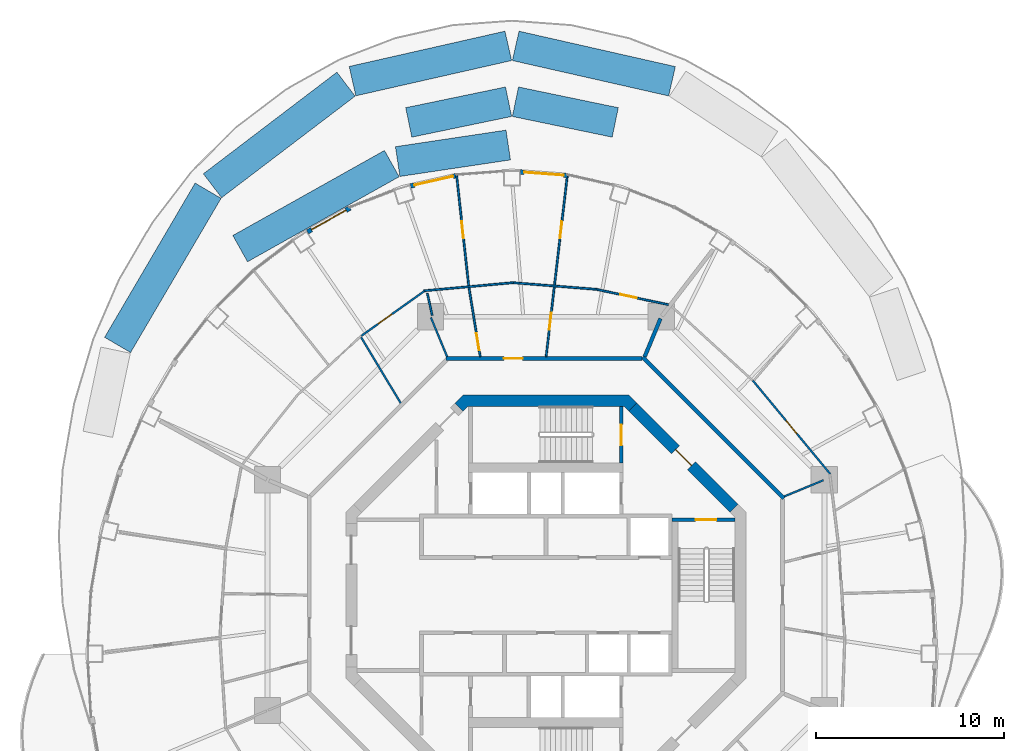
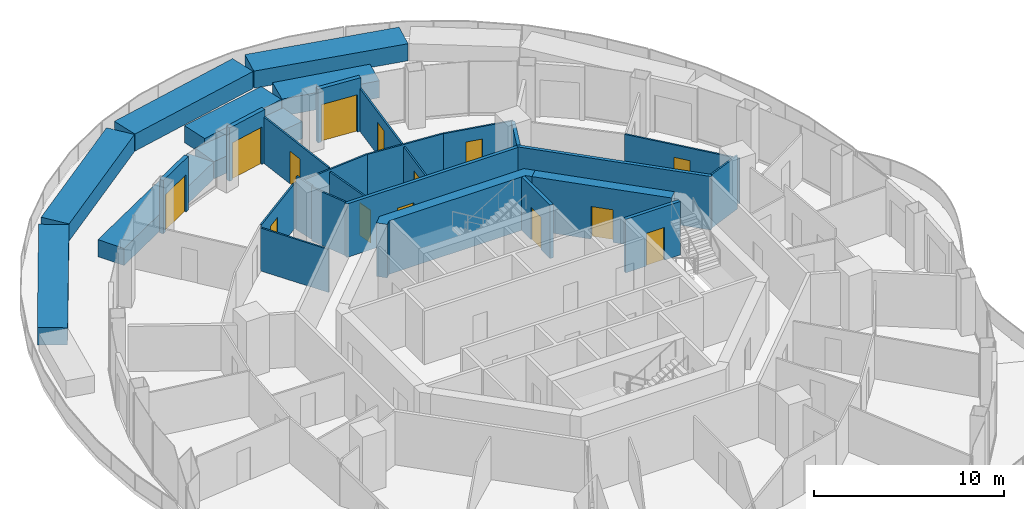
# One storey, part 13 of 17: 30 walls, 14 doors, 14 openings.
"""IFC4 building model written with IfcOpenShell, lengths in metres."""

from ifc_helpers import new_model, si_unit, direction, frame, frame_2d, origin, place, context, subcontext, project, spatial, polyline, rectangle, outline, extrude, material, layer, layer_set, type_object, element, fill, save


model = new_model("IFC4")

# Units and contexts
model_context = context("Model", 3, precision=1e-05, world=origin(), true_north=direction((0.0, 1.0)))
body_context = subcontext(model_context, "Body", "Model", "MODEL_VIEW")
ifc_project = project(units=[si_unit("LENGTHUNIT", "METRE"), si_unit("AREAUNIT", "SQUARE_METRE"), si_unit("VOLUMEUNIT", "CUBIC_METRE"), si_unit("PLANEANGLEUNIT", "RADIAN"), si_unit("MASSUNIT", "GRAM", prefix="KILO")], contexts=[model_context])

# Site, building, storey
site_placement = place(None, origin())
site = spatial("IfcSite", under=ifc_project, at=site_placement, CompositionType="ELEMENT")
building_placement = place(site_placement, origin())
building = spatial("IfcBuilding", under=site, at=building_placement, Name="Nagisa Residences", CompositionType="ELEMENT")
storey_placement = place(building_placement, frame((0.0, 0.0, 258.5)))
storey = spatial("IfcBuildingStorey", under=building, at=storey_placement, Name="L65", CompositionType="ELEMENT", Elevation=258.5)

# Walls
ifc_material_1 = material(Name="Gypsum board on steel studs", Category="steel")
ifc_layer_1 = layer(ifc_material_1, 0.199951171875)
ifc_layer_set_1 = layer_set([ifc_layer_1], Name="Apartment compartment wall EI60 200")
wall_type_1 = type_object("IfcWallType", Name="Apartment compartment wall EI60 200", PredefinedType="PARTITIONING", material=ifc_layer_set_1)
wall_1_placement = place(storey_placement, frame((5.24267578125, 12.6572265625, 0.0), z_axis=(0.0, 0.0, 1.0), x_axis=(0.382691608661, 0.923876145736, 0.0)))
element("IfcWall", 1, at=wall_1_placement, inside=storey, type_object=wall_type_1, Name="wall:L65:u00", PredefinedType="PARTITIONING", context=body_context, shape_type="SweptSolid", body=[
    extrude(rectangle(XDim=2.19970703125, YDim=0.199951171875, at=frame_2d((1.099853515625, 0.0))), origin(), (0.0, 0.0, 1.0), 3.43994140625),
])
ifc_material_2 = material(Name="Gypsum board on steel studs", Category="steel")
ifc_layer_2 = layer(ifc_material_2, 0.199951171875)
ifc_layer_set_2 = layer_set([ifc_layer_2], Name="Apartment entry wall EI60 200")
wall_type_2 = type_object("IfcWallType", Name="Apartment entry wall EI60 200", PredefinedType="PARTITIONING", material=ifc_layer_set_2)
wall_2_placement = place(storey_placement, frame((12.635498046875, 5.1337890625, 0.0), z_axis=(0.0, 0.0, 1.0), x_axis=(-0.707106781187, 0.707106781187, 0.0)))
element("IfcWall", 2, at=wall_2_placement, inside=storey, type_object=wall_type_2, Name="wall:L65:u09", PredefinedType="PARTITIONING", context=body_context, shape_type="SweptSolid", body=[
    extrude(rectangle(XDim=10.609130859375, YDim=0.199951171875, at=frame_2d((5.3046875, 0.0))), origin(), (0.0, 0.0, 1.0), 3.43994140625),
])

# Wall, opening, door
wall_3_placement = place(storey_placement, frame((5.1044921875, 12.564697265625, 0.0), z_axis=(0.0, 0.0, 1.0), x_axis=(-1.0, 0.0, 0.0)))
wall_3 = element("IfcWall", 3, at=wall_3_placement, inside=storey, type_object=wall_type_2, Name="wall:L65:u10", PredefinedType="PARTITIONING", context=body_context, shape_type="SweptSolid", body=[
    extrude(rectangle(XDim=10.408935546875, YDim=0.199951171875, at=frame_2d((5.20458984375, 0.0))), origin(), (0.0, 0.0, 1.0), 3.43994140625),
])
opening_1_placement = place(wall_3_placement, frame((6.33935546875, 0.0, 0.0)))
opening_1 = element("IfcOpeningElement", 4, at=opening_1_placement, cuts=wall_3, Name="Opening L65-U09", PredefinedType="OPENING", context=body_context, shape_type="SweptSolid", body=[
    extrude(rectangle(XDim=1.0, YDim=2.10009765625, at=frame_2d((0.5, 1.050048828125))), frame((0.0, 0.10986328125, 0.0), z_axis=(0.0, -1.0, 0.0), x_axis=(1.0, 0.0, 0.0)), (0.0, 0.0, 1.0), 0.219970703125),
])
ifc_material_3 = material(Name="Timber fire door set", Category="wood")
door_type_1 = type_object("IfcDoorType", Name="Apartment entry door FD30S 1000x2100", OperationType="NOTDEFINED", PredefinedType="DOOR", material=ifc_material_3)
door_1_placement = place(opening_1_placement, frame((1.0, 0.0, 0.0), x_axis=(-1.0, 0.0, 0.0)))
door_1 = element("IfcDoor", 5, at=door_1_placement, inside=storey, type_object=door_type_1, Name="Entry door, Apartment 65B", OperationType="SINGLE_SWING_RIGHT", OverallHeight=2.10009765625, OverallWidth=1.0, PredefinedType="DOOR", context=body_context, shape_type="SweptSolid", body=[
    extrude(rectangle(XDim=1.0, YDim=2.10009765625, at=frame_2d((0.5, 1.050048828125))), frame((0.0, 0.02490234375, 0.0), z_axis=(0.0, -1.0, 0.0), x_axis=(1.0, 0.0, 0.0)), (0.0, 0.0, 1.0), 0.050048828125),
])
fill(opening_1, door_1)

# Wall
ifc_material_4 = material(Name="Gypsum board on steel studs", Category="steel")
ifc_layer_3 = layer(ifc_material_4, 0.10009765625)
ifc_layer_set_3 = layer_set([ifc_layer_3], Name="Apartment partition 100")
wall_type_3 = type_object("IfcWallType", Name="Apartment partition 100", PredefinedType="PARTITIONING", material=ifc_layer_set_3)
wall_4_placement = place(storey_placement, frame((12.6572265625, 5.24267578125, 0.0), z_axis=(0.0, 0.0, 1.0), x_axis=(0.923864733477, 0.382719158442, 0.0)))
element("IfcWall", 6, at=wall_4_placement, inside=storey, type_object=wall_type_3, Name="wall:L65:u23", PredefinedType="PARTITIONING", context=body_context, shape_type="SweptSolid", body=[
    extrude(rectangle(XDim=2.25, YDim=0.10009765625, at=frame_2d((1.125, 0.0))), origin(), (0.0, 0.0, 1.0), 3.43994140625),
])

# Wall, opening, door
wall_5_placement = place(storey_placement, frame((15.09814453125, 6.427490234375, 0.0), z_axis=(0.0, 0.0, 1.0), x_axis=(-0.637936555536, 0.770088924158, 0.0)))
wall_5 = element("IfcWall", 7, at=wall_5_placement, inside=storey, type_object=wall_type_3, Name="wall:L65:u24", PredefinedType="PARTITIONING", context=body_context, shape_type="SweptSolid", body=[
    extrude(rectangle(XDim=6.46044921875, YDim=0.10009765625, at=frame_2d((3.230224609375, 0.0))), origin(), (0.0, 0.0, 1.0), 2.905029296875),
])
opening_2_placement = place(wall_5_placement, frame((2.7802734375, 0.0, 0.0)))
opening_2 = element("IfcOpeningElement", 8, at=opening_2_placement, cuts=wall_5, Name="Opening L65-U08", PredefinedType="OPENING", context=body_context, shape_type="SweptSolid", body=[
    extrude(rectangle(XDim=0.89990234375, YDim=2.10009765625, at=frame_2d((0.449951171875, 1.050048828125))), frame((0.0, 0.06005859375, 0.0), z_axis=(0.0, -1.0, 0.0), x_axis=(1.0, 0.0, 0.0)), (0.0, 0.0, 1.0), 0.1201171875),
])
ifc_material_5 = material(Name="Timber door set", Category="wood")
door_type_2 = type_object("IfcDoorType", Name="Apartment door 900x2100", OperationType="NOTDEFINED", PredefinedType="DOOR", material=ifc_material_5)
door_2_placement = place(opening_2_placement, origin())
door_2 = element("IfcDoor", 9, at=door_2_placement, inside=storey, type_object=door_type_2, Name="Door to store, Apartment 65A", OperationType="SINGLE_SWING_RIGHT", OverallHeight=2.10009765625, OverallWidth=0.89990234375, PredefinedType="DOOR", context=body_context, shape_type="SweptSolid", body=[
    extrude(rectangle(XDim=0.89990234375, YDim=2.10009765625, at=frame_2d((0.449951171875, 1.050048828125))), frame((0.0, 0.02490234375, 0.0), z_axis=(0.0, -1.0, 0.0), x_axis=(1.0, 0.0, 0.0)), (0.0, 0.0, 1.0), 0.050048828125),
])
fill(opening_2, door_2)

wall_6_placement = place(storey_placement, frame((6.50048828125, 15.41943359375, 0.0), z_axis=(0.0, 0.0, 1.0), x_axis=(-0.978053492557, 0.208353943321, 0.0)))
wall_6 = element("IfcWall", 10, at=wall_6_placement, inside=storey, type_object=wall_type_3, Name="wall:L65:u27", PredefinedType="PARTITIONING", context=body_context, shape_type="SweptSolid", body=[
    extrude(rectangle(XDim=3.873779296875, YDim=0.10009765625, at=frame_2d((1.93701171875, 0.0))), origin(), (0.0, 0.0, 1.0), 2.905029296875),
])
opening_3_placement = place(wall_6_placement, frame((1.71435546875, 0.0, 0.0)))
opening_3 = element("IfcOpeningElement", 11, at=opening_3_placement, cuts=wall_6, Name="Opening L65-U12", PredefinedType="OPENING", context=body_context, shape_type="SweptSolid", body=[
    extrude(rectangle(XDim=0.89990234375, YDim=2.10009765625, at=frame_2d((0.449951171875, 1.050048828125))), frame((0.0, 0.06005859375, 0.0), z_axis=(0.0, -1.0, 0.0), x_axis=(1.0, 0.0, 0.0)), (0.0, 0.0, 1.0), 0.1201171875),
])
door_3_placement = place(opening_3_placement, frame((0.89990234375, 0.0, 0.0), x_axis=(-1.0, 0.0, 0.0)))
door_3 = element("IfcDoor", 12, at=door_3_placement, inside=storey, type_object=door_type_2, Name="Door to kitchen, Apartment 65B", OperationType="SINGLE_SWING_LEFT", OverallHeight=2.10009765625, OverallWidth=0.89990234375, PredefinedType="DOOR", context=body_context, shape_type="SweptSolid", body=[
    extrude(rectangle(XDim=0.89990234375, YDim=2.10009765625, at=frame_2d((0.449951171875, 1.050048828125))), frame((0.0, 0.02490234375, 0.0), z_axis=(0.0, -1.0, 0.0), x_axis=(1.0, 0.0, 0.0)), (0.0, 0.0, 1.0), 0.050048828125),
])
fill(opening_3, door_3)

# Wall
wall_7_placement = place(storey_placement, frame((2.712646484375, 16.23291015625, 0.0), z_axis=(0.0, 0.0, 1.0), x_axis=(-0.996870142942, 0.079056423588, 0.0)))
element("IfcWall", 13, at=wall_7_placement, inside=storey, type_object=wall_type_3, Name="wall:L65:u28", PredefinedType="PARTITIONING", context=body_context, shape_type="SweptSolid", body=[
    extrude(rectangle(XDim=4.437744140625, YDim=0.10009765625, at=frame_2d((2.21875, 0.0))), origin(), (0.0, 0.0, 1.0), 2.905029296875),
])

# Wall, openings, doors
wall_8_placement = place(storey_placement, frame((0.01171875, 12.6640625, 0.0), z_axis=(0.0, 0.0, 1.0), x_axis=(0.11636251357, 0.993206808996, 0.0)))
wall_8 = element("IfcWall", 14, at=wall_8_placement, inside=storey, type_object=wall_type_3, Name="wall:L65:u29", PredefinedType="PARTITIONING", context=body_context, shape_type="SweptSolid", body=[
    extrude(rectangle(XDim=9.7646484375, YDim=0.10009765625, at=frame_2d((4.88232421875, 0.0))), origin(), (0.0, 0.0, 1.0), 2.761962890625),
])
opening_4_placement = place(wall_8_placement, frame((1.43701171875, 0.0, 0.0)))
opening_4 = element("IfcOpeningElement", 15, at=opening_4_placement, cuts=wall_8, Name="Opening L65-U10", PredefinedType="OPENING", context=body_context, shape_type="SweptSolid", body=[
    extrude(rectangle(XDim=0.89990234375, YDim=2.10009765625, at=frame_2d((0.449951171875, 1.050048828125))), frame((0.0, 0.06005859375, 0.0), z_axis=(0.0, -1.0, 0.0), x_axis=(1.0, 0.0, 0.0)), (0.0, 0.0, 1.0), 0.1201171875),
])
opening_5_placement = place(wall_8_placement, frame((6.3193359375, 0.0, 0.0)))
opening_5 = element("IfcOpeningElement", 16, at=opening_5_placement, cuts=wall_8, Name="Opening L65-U13", PredefinedType="OPENING", context=body_context, shape_type="SweptSolid", body=[
    extrude(rectangle(XDim=0.89990234375, YDim=2.10009765625, at=frame_2d((0.449951171875, 1.050048828125))), frame((0.0, 0.06005859375, 0.0), z_axis=(0.0, -1.0, 0.0), x_axis=(1.0, 0.0, 0.0)), (0.0, 0.0, 1.0), 0.1201171875),
])
door_4_placement = place(opening_4_placement, frame((0.89990234375, 0.0, 0.0), x_axis=(-1.0, 0.0, 0.0)))
door_4 = element("IfcDoor", 17, at=door_4_placement, inside=storey, type_object=door_type_2, Name="Door to store, Apartment 65B", OperationType="SINGLE_SWING_LEFT", OverallHeight=2.10009765625, OverallWidth=0.89990234375, PredefinedType="DOOR", context=body_context, shape_type="SweptSolid", body=[
    extrude(rectangle(XDim=0.89990234375, YDim=2.10009765625, at=frame_2d((0.449951171875, 1.050048828125))), frame((0.0, 0.02490234375, 0.0), z_axis=(0.0, -1.0, 0.0), x_axis=(1.0, 0.0, 0.0)), (0.0, 0.0, 1.0), 0.050048828125),
])
fill(opening_4, door_4)
door_5_placement = place(opening_5_placement, origin())
door_5 = element("IfcDoor", 18, at=door_5_placement, inside=storey, type_object=door_type_2, Name="Door to bedroom, Apartment 65B", OperationType="SINGLE_SWING_LEFT", OverallHeight=2.10009765625, OverallWidth=0.89990234375, PredefinedType="DOOR", context=body_context, shape_type="SweptSolid", body=[
    extrude(rectangle(XDim=0.89990234375, YDim=2.10009765625, at=frame_2d((0.449951171875, 1.050048828125))), frame((0.0, 0.02490234375, 0.0), z_axis=(0.0, -1.0, 0.0), x_axis=(1.0, 0.0, 0.0)), (0.0, 0.0, 1.0), 0.050048828125),
])
fill(opening_5, door_5)

# Wall
wall_9_placement = place(storey_placement, frame((-1.711181640625, 16.59228515625, 0.0), z_axis=(0.0, 0.0, 1.0), x_axis=(-0.995843707015, -0.091078599017, 0.0)))
element("IfcWall", 19, at=wall_9_placement, inside=storey, type_object=wall_type_3, Name="wall:L65:u30", PredefinedType="PARTITIONING", context=body_context, shape_type="SweptSolid", body=[
    extrude(rectangle(XDim=4.78466796875, YDim=0.10009765625, at=frame_2d((2.392333984375, 0.0))), origin(), (0.0, 0.0, 1.0), 2.905029296875),
])

# Wall, opening, door
wall_10_placement = place(storey_placement, frame((-3.48583984375, 12.663330078125, 0.0), z_axis=(0.0, 0.0, 1.0), x_axis=(-0.161602751674, 0.986855891532, 0.0)))
wall_10 = element("IfcWall", 20, at=wall_10_placement, inside=storey, type_object=wall_type_3, Name="wall:L65:u31", PredefinedType="PARTITIONING", context=body_context, shape_type="SweptSolid", body=[
    extrude(rectangle(XDim=3.71044921875, YDim=0.10009765625, at=frame_2d((1.855224609375, 0.0))), origin(), (0.0, 0.0, 1.0), 2.761962890625),
])
opening_6_placement = place(wall_10_placement, frame((0.35009765625, 0.0, 0.0)))
opening_6 = element("IfcOpeningElement", 21, at=opening_6_placement, cuts=wall_10, Name="Opening L65-U11", PredefinedType="OPENING", context=body_context, shape_type="SweptSolid", body=[
    extrude(rectangle(XDim=0.89990234375, YDim=2.10009765625, at=frame_2d((0.449951171875, 1.050048828125))), frame((0.0, 0.06005859375, 0.0), z_axis=(0.0, -1.0, 0.0), x_axis=(1.0, 0.0, 0.0)), (0.0, 0.0, 1.0), 0.1201171875),
])
door_6_placement = place(opening_6_placement, origin())
door_6 = element("IfcDoor", 22, at=door_6_placement, inside=storey, type_object=door_type_2, Name="Door to family bathroom, Apartment 65B", OperationType="SINGLE_SWING_LEFT", OverallHeight=2.10009765625, OverallWidth=0.89990234375, PredefinedType="DOOR", context=body_context, shape_type="SweptSolid", body=[
    extrude(rectangle(XDim=0.89990234375, YDim=2.10009765625, at=frame_2d((0.449951171875, 1.050048828125))), frame((0.0, 0.02490234375, 0.0), z_axis=(0.0, -1.0, 0.0), x_axis=(1.0, 0.0, 0.0)), (0.0, 0.0, 1.0), 0.050048828125),
])
fill(opening_6, door_6)

wall_11_placement = place(storey_placement, frame((-4.098876953125, 16.424072265625, 0.0), z_axis=(0.0, 0.0, 1.0), x_axis=(-0.10867295252, 0.99407755703, 0.0)))
wall_11 = element("IfcWall", 23, at=wall_11_placement, inside=storey, type_object=wall_type_3, Name="wall:L65:u32", PredefinedType="PARTITIONING", context=body_context, shape_type="SweptSolid", body=[
    extrude(rectangle(XDim=5.9736328125, YDim=0.10009765625, at=frame_2d((2.98681640625, 0.0))), origin(), (0.0, 0.0, 1.0), 2.98291015625),
])
opening_7_placement = place(wall_11_placement, frame((2.536865234375, 0.0, 0.0)))
opening_7 = element("IfcOpeningElement", 24, at=opening_7_placement, cuts=wall_11, Name="Opening L65-U14", PredefinedType="OPENING", context=body_context, shape_type="SweptSolid", body=[
    extrude(rectangle(XDim=0.89990234375, YDim=2.10009765625, at=frame_2d((0.449951171875, 1.050048828125))), frame((0.0, 0.06005859375, 0.0), z_axis=(0.0, -1.0, 0.0), x_axis=(1.0, 0.0, 0.0)), (0.0, 0.0, 1.0), 0.1201171875),
])
door_7_placement = place(opening_7_placement, origin())
door_7 = element("IfcDoor", 25, at=door_7_placement, inside=storey, type_object=door_type_2, Name="Door to living room, Apartment 65B", OperationType="SINGLE_SWING_RIGHT", OverallHeight=2.10009765625, OverallWidth=0.89990234375, PredefinedType="DOOR", context=body_context, shape_type="SweptSolid", body=[
    extrude(rectangle(XDim=0.89990234375, YDim=2.10009765625, at=frame_2d((0.449951171875, 1.050048828125))), frame((0.0, 0.02490234375, 0.0), z_axis=(0.0, -1.0, 0.0), x_axis=(1.0, 0.0, 0.0)), (0.0, 0.0, 1.0), 0.050048828125),
])
fill(opening_7, door_7)

# Wall
wall_12_placement = place(storey_placement, frame((-5.24267578125, 12.6572265625, 0.0), z_axis=(0.0, 0.0, 1.0), x_axis=(-0.382719158442, 0.923864733477, 0.0)))
element("IfcWall", 26, at=wall_12_placement, inside=storey, type_object=wall_type_3, Name="wall:L65:u33", PredefinedType="PARTITIONING", context=body_context, shape_type="SweptSolid", body=[
    extrude(rectangle(XDim=2.25, YDim=0.10009765625, at=frame_2d((1.125, 0.0))), origin(), (0.0, 0.0, 1.0), 3.43994140625),
])

# Wall, opening, door
wall_13_placement = place(storey_placement, frame((-6.467041015625, 16.132080078125, 0.0), z_axis=(0.0, 0.0, 1.0), x_axis=(-0.815192286069, -0.579190414919, 0.0)))
wall_13 = element("IfcWall", 27, at=wall_13_placement, inside=storey, type_object=wall_type_3, Name="wall:L65:u34", PredefinedType="PARTITIONING", context=body_context, shape_type="SweptSolid", body=[
    extrude(rectangle(XDim=4.086181640625, YDim=0.10009765625, at=frame_2d((2.04296875, 0.0))), origin(), (0.0, 0.0, 1.0), 2.905029296875),
])
opening_8_placement = place(wall_13_placement, frame((2.09033203125, 0.0, 0.0)))
opening_8 = element("IfcOpeningElement", 28, at=opening_8_placement, cuts=wall_13, Name="Opening L65-U16", PredefinedType="OPENING", context=body_context, shape_type="SweptSolid", body=[
    extrude(rectangle(XDim=0.89990234375, YDim=2.10009765625, at=frame_2d((0.449951171875, 1.050048828125))), frame((0.0, 0.06005859375, 0.0), z_axis=(0.0, -1.0, 0.0), x_axis=(1.0, 0.0, 0.0)), (0.0, 0.0, 1.0), 0.1201171875),
])
door_8_placement = place(opening_8_placement, origin())
door_8 = element("IfcDoor", 29, at=door_8_placement, inside=storey, type_object=door_type_2, Name="Door to store, Apartment 65B", OperationType="SINGLE_SWING_RIGHT", OverallHeight=2.10009765625, OverallWidth=0.89990234375, PredefinedType="DOOR", context=body_context, shape_type="SweptSolid", body=[
    extrude(rectangle(XDim=0.89990234375, YDim=2.10009765625, at=frame_2d((0.449951171875, 1.050048828125))), frame((0.0, 0.02490234375, 0.0), z_axis=(0.0, -1.0, 0.0), x_axis=(1.0, 0.0, 0.0)), (0.0, 0.0, 1.0), 0.050048828125),
])
fill(opening_8, door_8)

# Walls
wall_14_placement = place(storey_placement, frame((-7.70947265625, 10.197021484375, 0.0), z_axis=(0.0, 0.0, 1.0), x_axis=(-0.515524871668, 0.856874615502, 0.0)))
element("IfcWall", 30, at=wall_14_placement, inside=storey, type_object=wall_type_3, Name="wall:L65:u35", PredefinedType="PARTITIONING", context=body_context, shape_type="SweptSolid", body=[
    extrude(rectangle(XDim=4.080322265625, YDim=0.10009765625, at=frame_2d((2.0400390625, 0.0))), origin(), (0.0, 0.0, 1.0), 2.761962890625),
])
wall_15_placement = place(storey_placement, frame((-6.035888671875, 14.8525390625, 0.0), z_axis=(0.0, 0.0, 1.0), x_axis=(-0.215009518078, 0.976611953202, 0.0)))
element("IfcWall", 31, at=wall_15_placement, inside=storey, type_object=wall_type_3, Name="wall:L65:u69", PredefinedType="PARTITIONING", context=body_context, shape_type="SweptSolid", body=[
    extrude(rectangle(XDim=1.197998046875, YDim=0.10009765625, at=frame_2d((0.59912109375, 0.0))), origin(), (0.0, 0.0, 1.0), 3.43994140625),
])

# Wall, opening, door
ifc_material_6 = material(Name="Precast concrete C40/50", Category="concrete")
ifc_layer_4 = layer(ifc_material_6, 0.25)
ifc_layer_set_4 = layer_set([ifc_layer_4], Name="BALCONY DOOR WALL 250")
wall_type_4 = type_object("IfcWallType", Name="BALCONY DOOR WALL 250", PredefinedType="SOLIDWALL", material=ifc_layer_set_4)
wall_16_placement = place(storey_placement, frame((-1.360595703125, 22.464111328125, 0.0), z_axis=(0.0, 0.0, 1.0), x_axis=(0.997229684519, -0.074383844448, 0.0)))
wall_16 = element("IfcWall", 32, at=wall_16_placement, inside=storey, type_object=wall_type_4, Name="wall:L65:bay11", PredefinedType="SOLIDWALL", context=body_context, shape_type="SweptSolid", body=[
    extrude(rectangle(XDim=2.5107421875, YDim=0.25, at=frame_2d((1.25537109375, 0.0))), origin(), (0.0, 0.0, 1.0), 3.43994140625),
])
opening_9_placement = place(wall_16_placement, frame((0.205322265625, 0.0, 0.0)))
opening_9 = element("IfcOpeningElement", 33, at=opening_9_placement, cuts=wall_16, Name="Opening BD-L65-04", PredefinedType="OPENING", context=body_context, shape_type="SweptSolid", body=[
    extrude(rectangle(XDim=2.10009765625, YDim=2.39990234375, at=frame_2d((1.050048828125, 1.199951171875))), frame((0.0, 0.135009765625, 0.0), z_axis=(0.0, -1.0, 0.0), x_axis=(1.0, 0.0, 0.0)), (0.0, 0.0, 1.0), 0.27001953125),
])
ifc_material_7 = material(Name="Aluminium and clear glass", Category="aluminium")
door_type_3 = type_object("IfcDoorType", Name="BALCONY SLIDING DOOR 2100x2400", OperationType="SLIDING_TO_LEFT", PredefinedType="DOOR", material=ifc_material_7)
door_9_placement = place(opening_9_placement, origin())
door_9 = element("IfcDoor", 34, at=door_9_placement, inside=storey, type_object=door_type_3, Name="door:L65:bay11", OperationType="SLIDING_TO_LEFT", OverallHeight=2.39990234375, OverallWidth=2.10009765625, PredefinedType="DOOR", context=body_context, shape_type="SweptSolid", body=[
    extrude(rectangle(XDim=2.10009765625, YDim=2.39990234375, at=frame_2d((1.050048828125, 1.199951171875))), frame((0.0, 0.02490234375, 0.0), z_axis=(0.0, -1.0, 0.0), x_axis=(1.0, 0.0, 0.0)), (0.0, 0.0, 1.0), 0.050048828125),
])
fill(opening_9, door_9)

wall_17_placement = place(storey_placement, frame((-7.18798828125, 21.72265625, 0.0), z_axis=(0.0, 0.0, 1.0), x_axis=(0.975319584032, 0.220797891756, 0.0)))
wall_17 = element("IfcWall", 35, at=wall_17_placement, inside=storey, type_object=wall_type_4, Name="wall:L65:bay13", PredefinedType="SOLIDWALL", context=body_context, shape_type="SweptSolid", body=[
    extrude(rectangle(XDim=2.525390625, YDim=0.25, at=frame_2d((1.2626953125, 0.0))), origin(), (0.0, 0.0, 1.0), 3.43994140625),
])
opening_10_placement = place(wall_17_placement, frame((0.212646484375, 0.0, 0.0)))
opening_10 = element("IfcOpeningElement", 36, at=opening_10_placement, cuts=wall_17, Name="Opening BD-L65-05", PredefinedType="OPENING", context=body_context, shape_type="SweptSolid", body=[
    extrude(rectangle(XDim=2.10009765625, YDim=2.39990234375, at=frame_2d((1.050048828125, 1.199951171875))), frame((0.0, 0.135009765625, 0.0), z_axis=(0.0, -1.0, 0.0), x_axis=(1.0, 0.0, 0.0)), (0.0, 0.0, 1.0), 0.27001953125),
])
door_10_placement = place(opening_10_placement, origin())
door_10 = element("IfcDoor", 37, at=door_10_placement, inside=storey, type_object=door_type_3, Name="door:L65:bay13", OperationType="SLIDING_TO_LEFT", OverallHeight=2.39990234375, OverallWidth=2.10009765625, PredefinedType="DOOR", context=body_context, shape_type="SweptSolid", body=[
    extrude(rectangle(XDim=2.10009765625, YDim=2.39990234375, at=frame_2d((1.050048828125, 1.199951171875))), frame((0.0, 0.02490234375, 0.0), z_axis=(0.0, -1.0, 0.0), x_axis=(1.0, 0.0, 0.0)), (0.0, 0.0, 1.0), 0.050048828125),
])
fill(opening_10, door_10)

wall_18_placement = place(storey_placement, frame((-12.656494140625, 19.284912109375, 0.0), z_axis=(0.0, 0.0, 1.0), x_axis=(0.872075426507, 0.489371485154, 0.0)))
wall_18 = element("IfcWall", 38, at=wall_18_placement, inside=storey, type_object=wall_type_4, Name="wall:L65:bay15", PredefinedType="SOLIDWALL", context=body_context, shape_type="SweptSolid", body=[
    extrude(rectangle(XDim=2.59326171875, YDim=0.25, at=frame_2d((1.296630859375, 0.0))), origin(), (0.0, 0.0, 1.0), 3.43994140625),
])
opening_11_placement = place(wall_18_placement, frame((0.24658203125, 0.0, 0.0)))
opening_11 = element("IfcOpeningElement", 39, at=opening_11_placement, cuts=wall_18, Name="Opening BD-L65-06", PredefinedType="OPENING", context=body_context, shape_type="SweptSolid", body=[
    extrude(rectangle(XDim=2.10009765625, YDim=2.39990234375, at=frame_2d((1.050048828125, 1.199951171875))), frame((0.0, 0.135009765625, 0.0), z_axis=(0.0, -1.0, 0.0), x_axis=(1.0, 0.0, 0.0)), (0.0, 0.0, 1.0), 0.27001953125),
])
door_11_placement = place(opening_11_placement, origin())
door_11 = element("IfcDoor", 40, at=door_11_placement, inside=storey, type_object=door_type_3, Name="door:L65:bay15", OperationType="SLIDING_TO_LEFT", OverallHeight=2.39990234375, OverallWidth=2.10009765625, PredefinedType="DOOR", context=body_context, shape_type="SweptSolid", body=[
    extrude(rectangle(XDim=2.10009765625, YDim=2.39990234375, at=frame_2d((1.050048828125, 1.199951171875))), frame((0.0, 0.02490234375, 0.0), z_axis=(0.0, -1.0, 0.0), x_axis=(1.0, 0.0, 0.0)), (0.0, 0.0, 1.0), 0.050048828125),
])
fill(opening_11, door_11)

ifc_material_8 = material(Name="Concrete C60", Category="concrete")
ifc_layer_5 = layer(ifc_material_8, 0.60009765625)
ifc_layer_set_5 = layer_set([ifc_layer_5], Name="Core shear wall 600")
wall_type_5 = type_object("IfcWallType", Name="Core shear wall 600", PredefinedType="SHEAR", material=ifc_layer_set_5)
wall_19_placement = place(storey_placement, frame((9.98828125, 4.613037109375, 0.0), z_axis=(0.0, 0.0, 1.0), x_axis=(-0.707106781187, 0.707106781187, 0.0)))
wall_19 = element("IfcWall", 41, at=wall_19_placement, inside=storey, type_object=wall_type_5, Name="wall:L65:core:flat1", PredefinedType="SHEAR", context=body_context, shape_type="SweptSolid", body=[
    extrude(rectangle(XDim=7.601806640625, YDim=0.60009765625, at=frame_2d((3.80078125, 0.0))), origin(), (0.0, 0.0, 1.0), 3.43994140625),
])
opening_12_placement = place(wall_19_placement, frame((3.200927734375, 0.0, 0.0)))
opening_12 = element("IfcOpeningElement", 42, at=opening_12_placement, cuts=wall_19, Name="Opening L65-C17", PredefinedType="OPENING", context=body_context, shape_type="SweptSolid", body=[
    extrude(rectangle(XDim=1.199951171875, YDim=2.10009765625, at=frame_2d((0.60009765625, 1.050048828125))), frame((0.0, 0.31005859375, 0.0), z_axis=(0.0, -1.0, 0.0), x_axis=(1.0, 0.0, 0.0)), (0.0, 0.0, 1.0), 0.6201171875),
])
ifc_material_9 = material(Name="Steel fire door", Category="steel")
door_type_4 = type_object("IfcDoorType", Name="Fire door EI60 1200x2100 single swing", OperationType="NOTDEFINED", PredefinedType="DOOR", material=ifc_material_9)
door_12_placement = place(opening_12_placement, origin())
door_12 = element("IfcDoor", 43, at=door_12_placement, inside=storey, type_object=door_type_4, Name="Firefighting lobby 1 door L65", OperationType="SINGLE_SWING_LEFT", OverallHeight=2.10009765625, OverallWidth=1.199951171875, PredefinedType="DOOR", context=body_context, shape_type="SweptSolid", body=[
    extrude(rectangle(XDim=1.199951171875, YDim=2.10009765625, at=frame_2d((0.60009765625, 1.050048828125))), frame((0.0, 0.02490234375, 0.0), z_axis=(0.0, -1.0, 0.0), x_axis=(1.0, 0.0, 0.0)), (0.0, 0.0, 1.0), 0.050048828125),
])
fill(opening_12, door_12)

# Walls
wall_20_placement = place(storey_placement, origin())
element("IfcWall", 44, at=wall_20_placement, inside=storey, type_object=wall_type_5, Name="wall:L65:core:flat2", PredefinedType="SHEAR", context=body_context, shape_type="SweptSolid", body=[
    extrude(outline(polyline([(-4.15234375, 10.024658203125), (-4.40087890625, 9.776123046875), (-4.8251953125, 10.200439453125), (-4.40087890625, 10.62451171875), (4.40087890625, 10.62451171875), (4.8251953125, 10.200439453125), (4.40087890625, 9.776123046875), (4.15234375, 10.024658203125), (-4.15234375, 10.024658203125)])), origin(), (0.0, 0.0, 1.0), 3.43994140625),
])
ifc_material_10 = material(Name="Precast concrete C30/37", Category="concrete")
ifc_layer_6 = layer(ifc_material_10, 1.60009765625)
ifc_layer_set_6 = layer_set([ifc_layer_6], Name="PLANTER")
wall_type_6 = type_object("IfcWallType", Name="PLANTER", PredefinedType="SOLIDWALL", material=ifc_layer_set_6)
wall_21_placement = place(storey_placement, frame((-22.738037109375, 13.283203125, 0.0), z_axis=(0.0, 0.0, 1.0), x_axis=(0.506201816041, 0.862415051722, 0.0)))
element("IfcWall", 45, at=wall_21_placement, inside=storey, type_object=wall_type_6, Name="planter:L65:garden002", PredefinedType="SOLIDWALL", context=body_context, shape_type="SweptSolid", body=[
    extrude(rectangle(XDim=9.49462890625, YDim=1.60009765625, at=frame_2d((4.747314453125, 0.0))), origin(), (0.0, 0.0, 1.0), 1.10009765625),
])
wall_22_placement = place(storey_placement, frame((-17.700439453125, 21.732666015625, 0.0), z_axis=(0.0, 0.0, 1.0), x_axis=(0.795897017081, 0.605432026078, 0.0)))
element("IfcWall", 46, at=wall_22_placement, inside=storey, type_object=wall_type_6, Name="planter:L65:garden003", PredefinedType="SOLIDWALL", context=body_context, shape_type="SweptSolid", body=[
    extrude(rectangle(XDim=8.90869140625, YDim=1.60009765625, at=frame_2d((4.454345703125, 0.0))), origin(), (0.0, 0.0, 1.0), 1.10009765625),
])
wall_23_placement = place(storey_placement, frame((-10.26708984375, 27.286376953125, 0.0), z_axis=(0.0, 0.0, 1.0), x_axis=(0.975297737294, 0.220894372108, 0.0)))
element("IfcWall", 47, at=wall_23_placement, inside=storey, type_object=wall_type_6, Name="planter:L65:garden004", PredefinedType="SOLIDWALL", context=body_context, shape_type="SweptSolid", body=[
    extrude(rectangle(XDim=8.48046875, YDim=1.60009765625, at=frame_2d((4.240234375, 0.0))), origin(), (0.0, 0.0, 1.0), 1.10009765625),
])
wall_24_placement = place(storey_placement, frame((-8.179443359375, 22.91064453125, 0.0), z_axis=(0.0, 0.0, 1.0), x_axis=(-0.872191481834, -0.489164613413, 0.0)))
element("IfcWall", 48, at=wall_24_placement, inside=storey, type_object=wall_type_6, Name="planter:L65:garden005", PredefinedType="SOLIDWALL", context=body_context, shape_type="SweptSolid", body=[
    extrude(rectangle(XDim=9.230712890625, YDim=1.60009765625, at=frame_2d((4.615234375, 0.0))), origin(), (0.0, 0.0, 1.0), 1.10009765625),
])
wall_25_placement = place(storey_placement, frame((-1.99853515625, 23.896240234375, 0.0), z_axis=(0.0, 0.0, 1.0), x_axis=(-0.988966799741, -0.148137331587, 0.0)))
element("IfcWall", 49, at=wall_25_placement, inside=storey, type_object=wall_type_6, Name="planter:L65:garden006", PredefinedType="SOLIDWALL", context=body_context, shape_type="SweptSolid", body=[
    extrude(rectangle(XDim=5.936279296875, YDim=1.60009765625, at=frame_2d((2.96826171875, 0.0))), origin(), (0.0, 0.0, 1.0), 1.10009765625),
])
wall_26_placement = place(storey_placement, frame((-1.603759765625, 29.15966796875, 0.0), z_axis=(0.0, 0.0, 1.0), x_axis=(0.97529662319, -0.220899291067, 0.0)))
element("IfcWall", 50, at=wall_26_placement, inside=storey, type_object=wall_type_6, Name="planter:L65:garden007", PredefinedType="SOLIDWALL", context=body_context, shape_type="SweptSolid", body=[
    extrude(rectangle(XDim=8.509033203125, YDim=1.60009765625, at=frame_2d((4.25439453125, 0.0))), origin(), (0.0, 0.0, 1.0), 1.10009765625),
])
for number, where, z_axis, x_axis, name in (
    (51, (-1.982177734375, 26.194580078125, 0.0), (0.0, 0.0, 1.0), (-0.979151954448, -0.203129146359, 0.0), "planter:L65:garden111"),
    (52, (3.681396484375, 25.09521484375, 0.0), (0.0, 0.0, 1.0), (-0.979151954448, 0.203129146359, 0.0), "planter:L65:garden112"),
):
    element("IfcWall", number, at=place(storey_placement, frame(where, z_axis=z_axis, x_axis=x_axis)), inside=storey, type_object=wall_type_6, Name=name, PredefinedType="SOLIDWALL", context=body_context, shape_type="SweptSolid", body=[
        extrude(rectangle(XDim=5.412109375, YDim=1.60009765625, at=frame_2d((2.7060546875, 0.0))), origin(), (0.0, 0.0, 1.0), 1.10009765625),
    ])

# Wall, opening, door
ifc_material_11 = material(Name="Concrete C60", Category="concrete")
ifc_layer_7 = layer(ifc_material_11, 0.199951171875)
ifc_layer_set_7 = layer_set([ifc_layer_7], Name="Stair enclosure wall 200")
wall_type_7 = type_object("IfcWallType", Name="Stair enclosure wall 200", PredefinedType="SOLIDWALL", material=ifc_layer_set_7)
wall_27_placement = place(storey_placement, frame((6.699951171875, 4.0, 0.0), z_axis=(0.0, 0.0, 1.0), x_axis=(1.0, 0.0, 0.0)))
wall_27 = element("IfcWall", 53, at=wall_27_placement, inside=storey, type_object=wall_type_7, Name="wall:L65:SE_n", PredefinedType="SOLIDWALL", context=body_context, shape_type="SweptSolid", body=[
    extrude(rectangle(XDim=3.32470703125, YDim=0.199951171875, at=frame_2d((1.662353515625, 0.0))), origin(), (0.0, 0.0, 1.0), 3.43994140625),
])
opening_13_placement = place(wall_27_placement, frame((1.25, 0.0, 0.0)))
opening_13 = element("IfcOpeningElement", 54, at=opening_13_placement, cuts=wall_27, Name="Opening L65-C07", PredefinedType="OPENING", context=body_context, shape_type="SweptSolid", body=[
    extrude(rectangle(XDim=1.10009765625, YDim=2.10009765625, at=frame_2d((0.550048828125, 1.050048828125))), frame((0.0, 0.10986328125, 0.0), z_axis=(0.0, -1.0, 0.0), x_axis=(1.0, 0.0, 0.0)), (0.0, 0.0, 1.0), 0.219970703125),
])
ifc_material_12 = material(Name="Steel fire door", Category="steel")
door_type_5 = type_object("IfcDoorType", Name="Fire door EI90 1100x2100 single swing", OperationType="NOTDEFINED", PredefinedType="DOOR", material=ifc_material_12)
door_13_placement = place(opening_13_placement, frame((1.10009765625, 0.0, 0.0), x_axis=(-1.0, 0.0, 0.0)))
door_13 = element("IfcDoor", 55, at=door_13_placement, inside=storey, type_object=door_type_5, Name="Stair door ST-E L65", OperationType="SINGLE_SWING_LEFT", OverallHeight=2.10009765625, OverallWidth=1.10009765625, PredefinedType="DOOR", context=body_context, shape_type="SweptSolid", body=[
    extrude(rectangle(XDim=1.10009765625, YDim=2.10009765625, at=frame_2d((0.550048828125, 1.050048828125))), frame((0.0, 0.02490234375, 0.0), z_axis=(0.0, -1.0, 0.0), x_axis=(1.0, 0.0, 0.0)), (0.0, 0.0, 1.0), 0.050048828125),
])
fill(opening_13, door_13)

wall_28_placement = place(storey_placement, frame((4.0, 7.024658203125, 0.0), z_axis=(0.0, 0.0, 1.0), x_axis=(0.0, 1.0, 0.0)))
wall_28 = element("IfcWall", 56, at=wall_28_placement, inside=storey, type_object=wall_type_7, Name="wall:L65:SN_e", PredefinedType="SOLIDWALL", context=body_context, shape_type="SweptSolid", body=[
    extrude(rectangle(XDim=3.0, YDim=0.199951171875, at=frame_2d((1.5, 0.0))), origin(), (0.0, 0.0, 1.0), 3.43994140625),
])
opening_14_placement = place(wall_28_placement, frame((0.92529296875, 0.0, 0.0)))
opening_14 = element("IfcOpeningElement", 57, at=opening_14_placement, cuts=wall_28, Name="Opening L65-C08", PredefinedType="OPENING", context=body_context, shape_type="SweptSolid", body=[
    extrude(rectangle(XDim=1.10009765625, YDim=2.10009765625, at=frame_2d((0.550048828125, 1.050048828125))), frame((0.0, 0.10986328125, 0.0), z_axis=(0.0, -1.0, 0.0), x_axis=(1.0, 0.0, 0.0)), (0.0, 0.0, 1.0), 0.219970703125),
])
door_14_placement = place(opening_14_placement, origin())
door_14 = element("IfcDoor", 58, at=door_14_placement, inside=storey, type_object=door_type_5, Name="Stair door ST-N L65", OperationType="SINGLE_SWING_RIGHT", OverallHeight=2.10009765625, OverallWidth=1.10009765625, PredefinedType="DOOR", context=body_context, shape_type="SweptSolid", body=[
    extrude(rectangle(XDim=1.10009765625, YDim=2.10009765625, at=frame_2d((0.550048828125, 1.050048828125))), frame((0.0, 0.02490234375, 0.0), z_axis=(0.0, -1.0, 0.0), x_axis=(1.0, 0.0, 0.0)), (0.0, 0.0, 1.0), 0.050048828125),
])
fill(opening_14, door_14)

save(model, "model.ifc")
